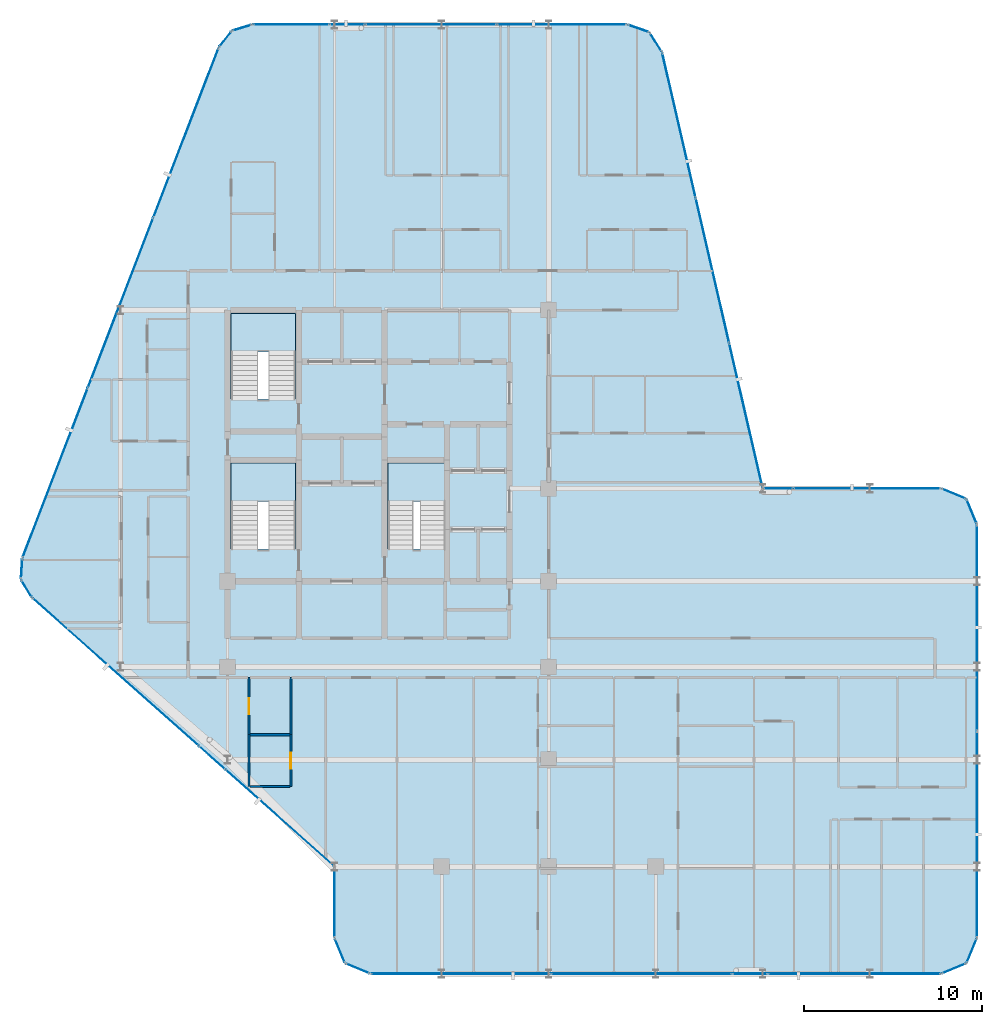
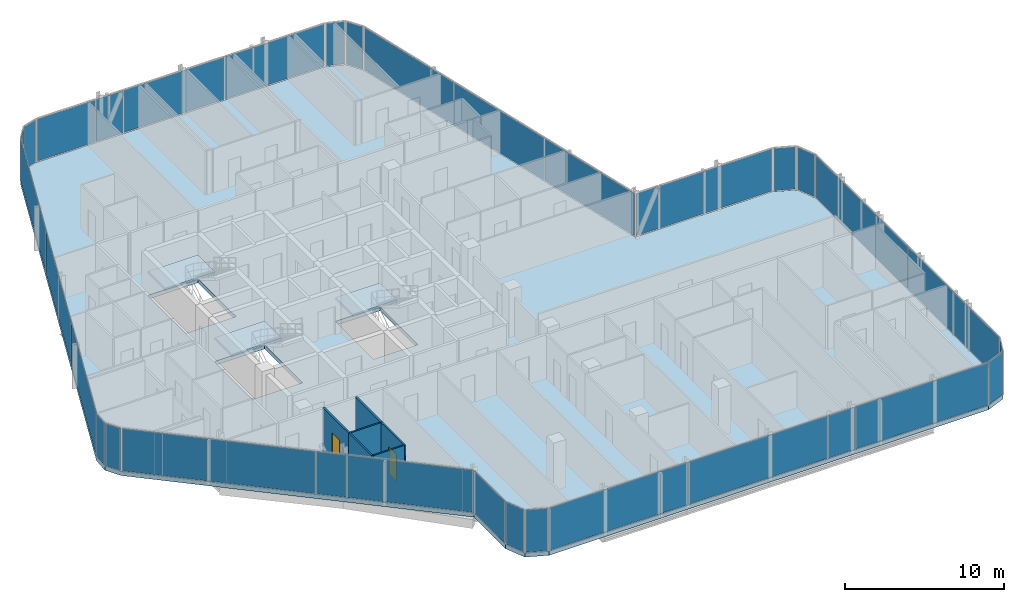
# One storey, part 22 of 29: 34 plates, 6 walls, 4 slabs, 2 doors, 2 openings, 30 elements without a shape of their own.
"""IFC4 building model written with IfcOpenShell, lengths in metres."""

from ifc_helpers import new_model, si_unit, direction, frame, frame_2d, origin, origin_2d, place, context, subcontext, project, spatial, polyline, rectangle, outline, extrude, material, layer, layer_set, type_object, element, fill, aggregate, save


model = new_model("IFC4")

# Units and contexts
model_context = context("Model", 3, precision=1e-05, world=origin(), true_north=direction((0.0, 1.0)))
body_context = subcontext(model_context, "Body", "Model", "MODEL_VIEW")
ifc_project = project(units=[si_unit("LENGTHUNIT", "METRE"), si_unit("AREAUNIT", "SQUARE_METRE"), si_unit("VOLUMEUNIT", "CUBIC_METRE"), si_unit("PLANEANGLEUNIT", "RADIAN"), si_unit("MASSUNIT", "GRAM", prefix="KILO")], contexts=[model_context])

# Site, building, storey
site_placement = place(None, origin())
site = spatial("IfcSite", under=ifc_project, at=site_placement, CompositionType="ELEMENT")
building_placement = place(site_placement, origin())
building = spatial("IfcBuilding", under=site, at=building_placement, Name="Keshet Zoharim Tower", CompositionType="ELEMENT")
storey_placement = place(building_placement, frame((0.0, 0.0, 195.800048828125)))
storey = spatial("IfcBuildingStorey", under=building, at=storey_placement, Name="L48", CompositionType="ELEMENT", Elevation=195.800048828125)

# Curtain wall, plate
ifc_material_1 = material(Name="Aluminium 6063-T6", Category="aluminium")
ifc_layer_1 = layer(ifc_material_1, 0.139892578125)
ifc_layer_set_1 = layer_set([ifc_layer_1], Name="Aluminium 6063-T6")
curtain_wall_type = type_object("IfcCurtainWallType", Name="CW-SYS-05", PredefinedType="NOTDEFINED", material=ifc_layer_set_1)
curtain_wall_1_placement = place(storey_placement, origin())
curtain_wall_1 = element("IfcCurtainWall", 1, at=curtain_wall_1_placement, inside=storey, type_object=curtain_wall_type, Name="L48 Unitised Curtain Wall 01", PredefinedType="NOTDEFINED")
ifc_material_2 = material(Name="Insulated Low-E Clear Glass", Category="glass")
ifc_layer_2 = layer(ifc_material_2, 0.031982421875)
ifc_layer_set_2 = layer_set([ifc_layer_2], Name="Insulated Low-E Clear Glass")
plate_type_1 = type_object("IfcPlateType", Name="CWP-02", PredefinedType="CURTAIN_PANEL", material=ifc_layer_set_2)
plate_1_placement = place(storey_placement, frame((55.70703125, 27.60693359375, 0.070068359375), z_axis=(0.0, 0.0, 1.0), x_axis=(0.92380975372, -0.382851849847, 0.0)))
plate_1 = element("IfcPlate", 2, at=plate_1_placement, type_object=plate_type_1, Name="CW-05 panel 1.1", PredefinedType="CURTAIN_PANEL", context=body_context, shape_type="SweptSolid", body=[
    extrude(rectangle(XDim=1.390625, YDim=0.031982421875, at=origin_2d()), origin(), (0.0, 0.0, 1.0), 3.25),
])
aggregate(curtain_wall_1, [plate_1])

curtain_wall_2_placement = place(storey_placement, origin())
curtain_wall_2 = element("IfcCurtainWall", 3, at=curtain_wall_2_placement, inside=storey, type_object=curtain_wall_type, Name="L48 Unitised Curtain Wall 02", PredefinedType="NOTDEFINED")
plate_2_placement = place(storey_placement, frame((56.70703125, 26.60693359375, 0.070068359375), z_axis=(0.0, 0.0, 1.0), x_axis=(0.382851849847, -0.92380975372, 0.0)))
plate_2 = element("IfcPlate", 4, at=plate_2_placement, type_object=plate_type_1, Name="CW-05 panel 1.1", PredefinedType="CURTAIN_PANEL", context=body_context, shape_type="SweptSolid", body=[
    extrude(rectangle(XDim=1.390625, YDim=0.031982421875, at=origin_2d()), origin(), (0.0, 0.0, 1.0), 3.25),
])
aggregate(curtain_wall_2, [plate_2])

# Curtain wall, plates
curtain_wall_3_placement = place(storey_placement, origin())
curtain_wall_3 = element("IfcCurtainWall", 5, at=curtain_wall_3_placement, inside=storey, type_object=curtain_wall_type, Name="L48 Unitised Curtain Wall 03", PredefinedType="NOTDEFINED")
plate_3_placement = place(storey_placement, frame((57.0, 20.08251953125, 0.070068359375), z_axis=(0.0, 0.0, 1.0), x_axis=(0.0, -1.0, 0.0)))
plate_3 = element("IfcPlate", 6, at=plate_3_placement, type_object=plate_type_1, Name="CW-05 panel 1.1", PredefinedType="CURTAIN_PANEL", context=body_context, shape_type="SweptSolid", body=[
    extrude(rectangle(XDim=11.4951171875, YDim=0.031982421875, at=origin_2d()), origin(), (0.0, 0.0, 1.0), 3.25),
])
plate_4_placement = place(storey_placement, frame((57.0, 8.517578125, 0.070068359375), z_axis=(0.0, 0.0, 1.0), x_axis=(0.0, -1.0, 0.0)))
plate_4 = element("IfcPlate", 7, at=plate_4_placement, type_object=plate_type_1, Name="CW-05 panel 2.1", PredefinedType="CURTAIN_PANEL", context=body_context, shape_type="SweptSolid", body=[
    extrude(rectangle(XDim=11.4951171875, YDim=0.031982421875, at=origin_2d()), origin(), (0.0, 0.0, 1.0), 3.25),
])
aggregate(curtain_wall_3, [plate_3, plate_4])

# Curtain wall, plate
curtain_wall_4_placement = place(storey_placement, origin())
curtain_wall_4 = element("IfcCurtainWall", 8, at=curtain_wall_4_placement, inside=storey, type_object=curtain_wall_type, Name="L48 Unitised Curtain Wall 04", PredefinedType="NOTDEFINED")
plate_5_placement = place(storey_placement, frame((56.70703125, 1.992919921875, 0.070068359375), z_axis=(0.0, 0.0, 1.0), x_axis=(-0.382851849847, -0.92380975372, 0.0)))
plate_5 = element("IfcPlate", 9, at=plate_5_placement, type_object=plate_type_1, Name="CW-05 panel 1.1", PredefinedType="CURTAIN_PANEL", context=body_context, shape_type="SweptSolid", body=[
    extrude(rectangle(XDim=1.390625, YDim=0.031982421875, at=origin_2d()), origin(), (0.0, 0.0, 1.0), 3.25),
])
aggregate(curtain_wall_4, [plate_5])

curtain_wall_5_placement = place(storey_placement, origin())
curtain_wall_5 = element("IfcCurtainWall", 10, at=curtain_wall_5_placement, inside=storey, type_object=curtain_wall_type, Name="L48 Unitised Curtain Wall 05", PredefinedType="NOTDEFINED")
plate_6_placement = place(storey_placement, frame((55.70703125, 0.992919921875, 0.070068359375), z_axis=(0.0, 0.0, 1.0), x_axis=(-0.92380975372, -0.382851849847, 0.0)))
plate_6 = element("IfcPlate", 11, at=plate_6_placement, type_object=plate_type_1, Name="CW-05 panel 1.1", PredefinedType="CURTAIN_PANEL", context=body_context, shape_type="SweptSolid", body=[
    extrude(rectangle(XDim=1.390625, YDim=0.031982421875, at=origin_2d()), origin(), (0.0, 0.0, 1.0), 3.25),
])
aggregate(curtain_wall_5, [plate_6])

curtain_wall_6_placement = place(storey_placement, origin())
curtain_wall_6 = element("IfcCurtainWall", 12, at=curtain_wall_6_placement, inside=storey, type_object=curtain_wall_type, Name="L48 Unitised Curtain Wall 06", PredefinedType="NOTDEFINED")
plate_7_placement = place(storey_placement, frame((50.1240234375, 0.699951171875, 0.070068359375), z_axis=(0.0, 0.0, 1.0), x_axis=(-1.0, 0.0, 0.0)))
plate_7 = element("IfcPlate", 13, at=plate_7_placement, type_object=plate_type_1, Name="CW-05 panel 1.1", PredefinedType="CURTAIN_PANEL", context=body_context, shape_type="SweptSolid", body=[
    extrude(rectangle(XDim=9.61181640625, YDim=0.031982421875, at=origin_2d()), origin(), (0.0, 0.0, 1.0), 3.25),
])
aggregate(curtain_wall_6, [plate_7])

# Curtain wall, plates
curtain_wall_7_placement = place(storey_placement, origin())
curtain_wall_7 = element("IfcCurtainWall", 14, at=curtain_wall_7_placement, inside=storey, type_object=curtain_wall_type, Name="L48 Unitised Curtain Wall 06 Part 3", PredefinedType="NOTDEFINED")
plate_8_placement = place(storey_placement, frame((38.20654296875, 0.699951171875, 0.070068359375), z_axis=(0.0, 0.0, 1.0), x_axis=(-1.0, 0.0, 0.0)))
plate_8 = element("IfcPlate", 15, at=plate_8_placement, type_object=plate_type_1, Name="CW-05 panel 1.1", PredefinedType="CURTAIN_PANEL", context=body_context, shape_type="SweptSolid", body=[
    extrude(rectangle(XDim=10.091064453125, YDim=0.031982421875, at=origin_2d()), origin(), (0.0, 0.0, 1.0), 3.25),
])
plate_9_placement = place(storey_placement, frame((28.08056640625, 0.699951171875, 0.070068359375), z_axis=(0.0, 0.0, 1.0), x_axis=(-1.0, 0.0, 0.0)))
plate_9 = element("IfcPlate", 16, at=plate_9_placement, type_object=plate_type_1, Name="CW-05 panel 2.1", PredefinedType="CURTAIN_PANEL", context=body_context, shape_type="SweptSolid", body=[
    extrude(rectangle(XDim=10.02099609375, YDim=0.031982421875, at=origin_2d()), origin(), (0.0, 0.0, 1.0), 3.25),
])
aggregate(curtain_wall_7, [plate_8, plate_9])

# Curtain wall, plate
curtain_wall_8_placement = place(storey_placement, origin())
curtain_wall_8 = element("IfcCurtainWall", 17, at=curtain_wall_8_placement, inside=storey, type_object=curtain_wall_type, Name="L48 Unitised Curtain Wall 07", PredefinedType="NOTDEFINED")
plate_10_placement = place(storey_placement, frame((22.29296875, 0.992919921875, 0.070068359375), z_axis=(0.0, 0.0, 1.0), x_axis=(-0.92380975372, 0.382851849847, 0.0)))
plate_10 = element("IfcPlate", 18, at=plate_10_placement, type_object=plate_type_1, Name="CW-05 panel 1.1", PredefinedType="CURTAIN_PANEL", context=body_context, shape_type="SweptSolid", body=[
    extrude(rectangle(XDim=1.390625, YDim=0.031982421875, at=origin_2d()), origin(), (0.0, 0.0, 1.0), 3.25),
])
aggregate(curtain_wall_8, [plate_10])

curtain_wall_9_placement = place(storey_placement, origin())
curtain_wall_9 = element("IfcCurtainWall", 19, at=curtain_wall_9_placement, inside=storey, type_object=curtain_wall_type, Name="L48 Unitised Curtain Wall 08", PredefinedType="NOTDEFINED")
plate_11_placement = place(storey_placement, frame((21.29296875, 1.992919921875, 0.070068359375), z_axis=(0.0, 0.0, 1.0), x_axis=(-0.382851849847, 0.92380975372, 0.0)))
plate_11 = element("IfcPlate", 20, at=plate_11_placement, type_object=plate_type_1, Name="CW-05 panel 1.1", PredefinedType="CURTAIN_PANEL", context=body_context, shape_type="SweptSolid", body=[
    extrude(rectangle(XDim=1.390625, YDim=0.031982421875, at=origin_2d()), origin(), (0.0, 0.0, 1.0), 3.25),
])
aggregate(curtain_wall_9, [plate_11])

curtain_wall_10_placement = place(storey_placement, origin())
curtain_wall_10 = element("IfcCurtainWall", 21, at=curtain_wall_10_placement, inside=storey, type_object=curtain_wall_type, Name="L48 Unitised Curtain Wall 09", PredefinedType="NOTDEFINED")
plate_12_placement = place(storey_placement, frame((21.0, 4.699951171875, 0.070068359375), z_axis=(0.0, 0.0, 1.0), x_axis=(0.0, 1.0, 0.0)))
plate_12 = element("IfcPlate", 22, at=plate_12_placement, type_object=plate_type_1, Name="CW-05 panel 1.1", PredefinedType="CURTAIN_PANEL", context=body_context, shape_type="SweptSolid", body=[
    extrude(rectangle(XDim=3.860107421875, YDim=0.031982421875, at=origin_2d()), origin(), (0.0, 0.0, 1.0), 3.25),
])
aggregate(curtain_wall_10, [plate_12])

curtain_wall_11_placement = place(storey_placement, origin())
curtain_wall_11 = element("IfcCurtainWall", 23, at=curtain_wall_11_placement, inside=storey, type_object=curtain_wall_type, Name="L48 Unitised Curtain Wall 10", PredefinedType="NOTDEFINED")
plate_13_placement = place(storey_placement, frame((17.92724609375, 9.431396484375, 0.070068359375), z_axis=(0.0, 0.0, 1.0), x_axis=(-0.74740596379, 0.664367613066, 0.0)))
plate_13 = element("IfcPlate", 24, at=plate_13_placement, type_object=plate_type_1, Name="CW-05 panel 1.1", PredefinedType="CURTAIN_PANEL", context=body_context, shape_type="SweptSolid", body=[
    extrude(rectangle(XDim=8.082763671875, YDim=0.031982421875, at=origin_2d()), origin(), (0.0, 0.0, 1.0), 3.25),
])
aggregate(curtain_wall_11, [plate_13])

curtain_wall_12_placement = place(storey_placement, origin())
curtain_wall_12 = element("IfcCurtainWall", 25, at=curtain_wall_12_placement, inside=storey, type_object=curtain_wall_type, Name="L48 Unitised Curtain Wall 10 Part 3", PredefinedType="NOTDEFINED")
plate_14_placement = place(storey_placement, frame((8.724853515625, 17.611328125, 0.070068359375), z_axis=(0.0, 0.0, 1.0), x_axis=(-0.747406666066, 0.664366823013, 0.0)))
plate_14 = element("IfcPlate", 26, at=plate_14_placement, type_object=plate_type_1, Name="CW-05 panel 1.1", PredefinedType="CURTAIN_PANEL", context=body_context, shape_type="SweptSolid", body=[
    extrude(rectangle(XDim=12.40966796875, YDim=0.031982421875, at=origin_2d()), origin(), (0.0, 0.0, 1.0), 3.25),
])
aggregate(curtain_wall_12, [plate_14])

curtain_wall_13_placement = place(storey_placement, origin())
curtain_wall_13 = element("IfcCurtainWall", 27, at=curtain_wall_13_placement, inside=storey, type_object=curtain_wall_type, Name="L48 Unitised Curtain Wall 11", PredefinedType="NOTDEFINED")
plate_15_placement = place(storey_placement, frame((3.7275390625, 22.291015625, 0.070068359375), z_axis=(0.0, 0.0, 1.0), x_axis=(-0.515604947933, 0.856826433805, 0.0)))
plate_15 = element("IfcPlate", 28, at=plate_15_placement, type_object=plate_type_1, Name="CW-05 panel 1.1", PredefinedType="CURTAIN_PANEL", context=body_context, shape_type="SweptSolid", body=[
    extrude(rectangle(XDim=1.052734375, YDim=0.031982421875, at=origin_2d()), origin(), (0.0, 0.0, 1.0), 3.25),
])
aggregate(curtain_wall_13, [plate_15])

curtain_wall_14_placement = place(storey_placement, origin())
curtain_wall_14 = element("IfcCurtainWall", 29, at=curtain_wall_14_placement, inside=storey, type_object=curtain_wall_type, Name="L48 Unitised Curtain Wall 12", PredefinedType="NOTDEFINED")
plate_16_placement = place(storey_placement, frame((3.45849609375, 23.3974609375, 0.070068359375), z_axis=(0.0, 0.0, 1.0), x_axis=(0.064516859374, 0.997916617186, 0.0)))
plate_16 = element("IfcPlate", 30, at=plate_16_placement, type_object=plate_type_1, Name="CW-05 panel 1.1", PredefinedType="CURTAIN_PANEL", context=body_context, shape_type="SweptSolid", body=[
    extrude(rectangle(XDim=1.053466796875, YDim=0.031982421875, at=origin_2d()), origin(), (0.0, 0.0, 1.0), 3.25),
])
aggregate(curtain_wall_14, [plate_16])

# Curtain wall, plates
curtain_wall_15_placement = place(storey_placement, origin())
curtain_wall_15 = element("IfcCurtainWall", 31, at=curtain_wall_15_placement, inside=storey, type_object=curtain_wall_type, Name="L48 Unitised Curtain Wall 13", PredefinedType="NOTDEFINED")
plate_17_placement = place(storey_placement, frame((5.33837890625, 28.7802734375, 0.070068359375), z_axis=(0.0, 0.0, 1.0), x_axis=(0.358990003907, 0.933341404361, 0.0)))
plate_17 = element("IfcPlate", 32, at=plate_17_placement, type_object=plate_type_1, Name="CW-05 panel 1.1", PredefinedType="CURTAIN_PANEL", context=body_context, shape_type="SweptSolid", body=[
    extrude(rectangle(XDim=10.1181640625, YDim=0.031982421875, at=origin_2d()), origin(), (0.0, 0.0, 1.0), 3.25),
])
plate_18_placement = place(storey_placement, frame((9.001953125, 38.305419921875, 0.070068359375), z_axis=(0.0, 0.0, 1.0), x_axis=(0.358990003907, 0.933341404361, 0.0)))
plate_18 = element("IfcPlate", 33, at=plate_18_placement, type_object=plate_type_1, Name="CW-05 panel 2.1", PredefinedType="CURTAIN_PANEL", context=body_context, shape_type="SweptSolid", body=[
    extrude(rectangle(XDim=10.153076171875, YDim=0.031982421875, at=origin_2d()), origin(), (0.0, 0.0, 1.0), 3.25),
])
plate_19_placement = place(storey_placement, frame((12.665771484375, 47.830810546875, 0.070068359375), z_axis=(0.0, 0.0, 1.0), x_axis=(0.358990003907, 0.933341404361, 0.0)))
plate_19 = element("IfcPlate", 34, at=plate_19_placement, type_object=plate_type_1, Name="CW-05 panel 3.1", PredefinedType="CURTAIN_PANEL", context=body_context, shape_type="SweptSolid", body=[
    extrude(rectangle(XDim=10.1181640625, YDim=0.031982421875, at=origin_2d()), origin(), (0.0, 0.0, 1.0), 3.25),
])
aggregate(curtain_wall_15, [plate_17, plate_18, plate_19])

# Curtain wall, plate
curtain_wall_16_placement = place(storey_placement, origin())
curtain_wall_16 = element("IfcCurtainWall", 35, at=curtain_wall_16_placement, inside=storey, type_object=curtain_wall_type, Name="L48 Unitised Curtain Wall 14", PredefinedType="NOTDEFINED")
plate_20_placement = place(storey_placement, frame((14.8740234375, 53.08349609375, 0.070068359375), z_axis=(0.0, 0.0, 1.0), x_axis=(0.619124525989, 0.785292825205, 0.0)))
plate_20 = element("IfcPlate", 36, at=plate_20_placement, type_object=plate_type_1, Name="CW-05 panel 1.1", PredefinedType="CURTAIN_PANEL", context=body_context, shape_type="SweptSolid", body=[
    extrude(rectangle(XDim=1.045654296875, YDim=0.031982421875, at=origin_2d()), origin(), (0.0, 0.0, 1.0), 3.25),
])
aggregate(curtain_wall_16, [plate_20])

curtain_wall_17_placement = place(storey_placement, origin())
curtain_wall_17 = element("IfcCurtainWall", 37, at=curtain_wall_17_placement, inside=storey, type_object=curtain_wall_type, Name="L48 Unitised Curtain Wall 15", PredefinedType="NOTDEFINED")
plate_21_placement = place(storey_placement, frame((15.8076171875, 53.724609375, 0.070068359375), z_axis=(0.0, 0.0, 1.0), x_axis=(0.955212151288, 0.295921857984, 0.0)))
plate_21 = element("IfcPlate", 38, at=plate_21_placement, type_object=plate_type_1, Name="CW-05 panel 1.1", PredefinedType="CURTAIN_PANEL", context=body_context, shape_type="SweptSolid", body=[
    extrude(rectangle(XDim=1.046142578125, YDim=0.031982421875, at=origin_2d()), origin(), (0.0, 0.0, 1.0), 3.25),
])
aggregate(curtain_wall_17, [plate_21])

curtain_wall_18_placement = place(storey_placement, origin())
curtain_wall_18 = element("IfcCurtainWall", 39, at=curtain_wall_18_placement, inside=storey, type_object=curtain_wall_type, Name="L48 Unitised Curtain Wall 16", PredefinedType="NOTDEFINED")
plate_22_placement = place(storey_placement, frame((18.56298828125, 53.89990234375, 0.070068359375), z_axis=(0.0, 0.0, 1.0), x_axis=(1.0, 0.0, 0.0)))
plate_22 = element("IfcPlate", 40, at=plate_22_placement, type_object=plate_type_1, Name="CW-05 panel 1.1", PredefinedType="CURTAIN_PANEL", context=body_context, shape_type="SweptSolid", body=[
    extrude(rectangle(XDim=4.23779296875, YDim=0.031982421875, at=origin_2d()), origin(), (0.0, 0.0, 1.0), 3.25),
])
aggregate(curtain_wall_18, [plate_22])

# Curtain wall, plates
curtain_wall_19_placement = place(storey_placement, origin())
curtain_wall_19 = element("IfcCurtainWall", 41, at=curtain_wall_19_placement, inside=storey, type_object=curtain_wall_type, Name="L48 Unitised Curtain Wall 16 Part 3", PredefinedType="NOTDEFINED")
plate_23_placement = place(storey_placement, frame((26.395751953125, 53.89990234375, 0.070068359375), z_axis=(0.0, 0.0, 1.0), x_axis=(1.0, 0.0, 0.0)))
plate_23 = element("IfcPlate", 42, at=plate_23_placement, type_object=plate_type_1, Name="CW-05 panel 1.1", PredefinedType="CURTAIN_PANEL", context=body_context, shape_type="SweptSolid", body=[
    extrude(rectangle(XDim=7.29541015625, YDim=0.031982421875, at=origin_2d()), origin(), (0.0, 0.0, 1.0), 3.25),
])
plate_24_placement = place(storey_placement, frame((33.726318359375, 53.89990234375, 0.070068359375), z_axis=(0.0, 0.0, 1.0), x_axis=(1.0, 0.0, 0.0)))
plate_24 = element("IfcPlate", 43, at=plate_24_placement, type_object=plate_type_1, Name="CW-05 panel 2.1", PredefinedType="CURTAIN_PANEL", context=body_context, shape_type="SweptSolid", body=[
    extrude(rectangle(XDim=7.225341796875, YDim=0.031982421875, at=origin_2d()), origin(), (0.0, 0.0, 1.0), 3.25),
])
aggregate(curtain_wall_19, [plate_23, plate_24])

# Curtain wall, plate
curtain_wall_20_placement = place(storey_placement, origin())
curtain_wall_20 = element("IfcCurtainWall", 44, at=curtain_wall_20_placement, inside=storey, type_object=curtain_wall_type, Name="L48 Unitised Curtain Wall 17", PredefinedType="NOTDEFINED")
plate_25_placement = place(storey_placement, frame((38.031494140625, 53.6826171875, 0.070068359375), z_axis=(0.0, 0.0, 1.0), x_axis=(0.944035542119, -0.329843743636, 0.0)))
plate_25 = element("IfcPlate", 45, at=plate_25_placement, type_object=plate_type_1, Name="CW-05 panel 1.1", PredefinedType="CURTAIN_PANEL", context=body_context, shape_type="SweptSolid", body=[
    extrude(rectangle(XDim=1.1787109375, YDim=0.031982421875, at=origin_2d()), origin(), (0.0, 0.0, 1.0), 3.25),
])
aggregate(curtain_wall_20, [plate_25])

curtain_wall_21_placement = place(storey_placement, origin())
curtain_wall_21 = element("IfcCurtainWall", 46, at=curtain_wall_21_placement, inside=storey, type_object=curtain_wall_type, Name="L48 Unitised Curtain Wall 18", PredefinedType="NOTDEFINED")
plate_26_placement = place(storey_placement, frame((39.006103515625, 52.907470703125, 0.070068359375), z_axis=(0.0, 0.0, 1.0), x_axis=(0.533878858502, -0.845560976183, 0.0)))
plate_26 = element("IfcPlate", 47, at=plate_26_placement, type_object=plate_type_1, Name="CW-05 panel 1.1", PredefinedType="CURTAIN_PANEL", context=body_context, shape_type="SweptSolid", body=[
    extrude(rectangle(XDim=1.1787109375, YDim=0.031982421875, at=origin_2d()), origin(), (0.0, 0.0, 1.0), 3.25),
])
aggregate(curtain_wall_21, [plate_26])

# Curtain wall, plates
curtain_wall_22_placement = place(storey_placement, origin())
curtain_wall_22 = element("IfcCurtainWall", 48, at=curtain_wall_22_placement, inside=storey, type_object=curtain_wall_type, Name="L48 Unitised Curtain Wall 19", PredefinedType="NOTDEFINED")
plate_27_placement = place(storey_placement, frame((40.30224609375, 48.258056640625, 0.070068359375), z_axis=(0.0, 0.0, 1.0), x_axis=(0.224847864369, -0.974393882313, 0.0)))
plate_27 = element("IfcPlate", 49, at=plate_27_placement, type_object=plate_type_1, Name="CW-05 panel 1.1", PredefinedType="CURTAIN_PANEL", context=body_context, shape_type="SweptSolid", body=[
    extrude(rectangle(XDim=8.25927734375, YDim=0.031982421875, at=origin_2d()), origin(), (0.0, 0.0, 1.0), 3.25),
])
plate_28_placement = place(storey_placement, frame((42.178955078125, 40.125, 0.070068359375), z_axis=(0.0, 0.0, 1.0), x_axis=(0.224847864369, -0.974393882313, 0.0)))
plate_28 = element("IfcPlate", 50, at=plate_28_placement, type_object=plate_type_1, Name="CW-05 panel 2.1", PredefinedType="CURTAIN_PANEL", context=body_context, shape_type="SweptSolid", body=[
    extrude(rectangle(XDim=8.294189453125, YDim=0.031982421875, at=origin_2d()), origin(), (0.0, 0.0, 1.0), 3.25),
])
plate_29_placement = place(storey_placement, frame((44.0556640625, 31.991943359375, 0.070068359375), z_axis=(0.0, 0.0, 1.0), x_axis=(0.224847864369, -0.974393882313, 0.0)))
plate_29 = element("IfcPlate", 51, at=plate_29_placement, type_object=plate_type_1, Name="CW-05 panel 3.1", PredefinedType="CURTAIN_PANEL", context=body_context, shape_type="SweptSolid", body=[
    extrude(rectangle(XDim=8.25927734375, YDim=0.031982421875, at=origin_2d()), origin(), (0.0, 0.0, 1.0), 3.25),
])
aggregate(curtain_wall_22, [plate_27, plate_28, plate_29])

# Curtain wall, plate
curtain_wall_23_placement = place(storey_placement, origin())
curtain_wall_23 = element("IfcCurtainWall", 52, at=curtain_wall_23_placement, inside=storey, type_object=curtain_wall_type, Name="L48 Unitised Curtain Wall 20 Part 2", PredefinedType="NOTDEFINED")
plate_30_placement = place(storey_placement, frame((50.839111328125, 27.89990234375, 0.070068359375), z_axis=(0.0, 0.0, 1.0), x_axis=(1.0, 0.0, 0.0)))
plate_30 = element("IfcPlate", 53, at=plate_30_placement, type_object=plate_type_1, Name="CW-05 panel 1.1", PredefinedType="CURTAIN_PANEL", context=body_context, shape_type="SweptSolid", body=[
    extrude(rectangle(XDim=8.181884765625, YDim=0.031982421875, at=origin_2d()), origin(), (0.0, 0.0, 1.0), 3.25),
])
aggregate(curtain_wall_23, [plate_30])

curtain_wall_24_placement = place(storey_placement, origin())
curtain_wall_24 = element("IfcCurtainWall", 54, at=curtain_wall_24_placement, inside=storey, type_object=curtain_wall_type, Name="L48 Unitised Curtain Wall 06 Part 2", PredefinedType="NOTDEFINED")
ifc_material_3 = material(Name="Insulated Aluminium Spandrel Panel", Category="aluminium")
ifc_layer_3 = layer(ifc_material_3, 0.031982421875)
ifc_layer_set_3 = layer_set([ifc_layer_3], Name="Insulated Aluminium Spandrel Panel")
plate_type_2 = type_object("IfcPlateType", Name="CWP-05", PredefinedType="CURTAIN_PANEL", material=ifc_layer_set_3)
plate_31_placement = place(storey_placement, frame((44.284912109375, 0.699951171875, 0.070068359375), z_axis=(0.0, 0.0, 1.0), x_axis=(-1.0, 0.0, 0.0)))
plate_31 = element("IfcPlate", 55, at=plate_31_placement, type_object=plate_type_2, Name="CW-05 spandrel panel 1.1", PredefinedType="CURTAIN_PANEL", context=body_context, shape_type="SweptSolid", body=[
    extrude(rectangle(XDim=1.92626953125, YDim=0.031982421875, at=origin_2d()), origin(), (0.0, 0.0, 1.0), 3.25),
])
aggregate(curtain_wall_24, [plate_31])

curtain_wall_25_placement = place(storey_placement, origin())
curtain_wall_25 = element("IfcCurtainWall", 56, at=curtain_wall_25_placement, inside=storey, type_object=curtain_wall_type, Name="L48 Unitised Curtain Wall 10 Part 2", PredefinedType="NOTDEFINED")
plate_32_placement = place(storey_placement, frame((14.134521484375, 12.802734375, 0.070068359375), z_axis=(0.0, 0.0, 1.0), x_axis=(-0.747439721297, 0.664329634314, 0.0)))
plate_32 = element("IfcPlate", 57, at=plate_32_placement, type_object=plate_type_2, Name="CW-05 spandrel panel 1.1", PredefinedType="CURTAIN_PANEL", context=body_context, shape_type="SweptSolid", body=[
    extrude(rectangle(XDim=1.92626953125, YDim=0.031982421875, at=origin_2d()), origin(), (0.0, 0.0, 1.0), 3.25),
])
aggregate(curtain_wall_25, [plate_32])

curtain_wall_26_placement = place(storey_placement, origin())
curtain_wall_26 = element("IfcCurtainWall", 58, at=curtain_wall_26_placement, inside=storey, type_object=curtain_wall_type, Name="L48 Unitised Curtain Wall 16 Part 2", PredefinedType="NOTDEFINED")
plate_33_placement = place(storey_placement, frame((21.715087890625, 53.89990234375, 0.070068359375), z_axis=(0.0, 0.0, 1.0), x_axis=(1.0, 0.0, 0.0)))
plate_33 = element("IfcPlate", 59, at=plate_33_placement, type_object=plate_type_2, Name="CW-05 spandrel panel 1.1", PredefinedType="CURTAIN_PANEL", context=body_context, shape_type="SweptSolid", body=[
    extrude(rectangle(XDim=1.92626953125, YDim=0.031982421875, at=origin_2d()), origin(), (0.0, 0.0, 1.0), 3.25),
])
aggregate(curtain_wall_26, [plate_33])

curtain_wall_27_placement = place(storey_placement, origin())
curtain_wall_27 = element("IfcCurtainWall", 60, at=curtain_wall_27_placement, inside=storey, type_object=curtain_wall_type, Name="L48 Unitised Curtain Wall 20", PredefinedType="NOTDEFINED")
plate_34_placement = place(storey_placement, frame((45.8740234375, 27.89990234375, 0.070068359375), z_axis=(0.0, 0.0, 1.0), x_axis=(1.0, 0.0, 0.0)))
plate_34 = element("IfcPlate", 61, at=plate_34_placement, type_object=plate_type_2, Name="CW-05 spandrel panel 1.1", PredefinedType="CURTAIN_PANEL", context=body_context, shape_type="SweptSolid", body=[
    extrude(rectangle(XDim=1.608154296875, YDim=0.031982421875, at=origin_2d()), origin(), (0.0, 0.0, 1.0), 3.25),
])
aggregate(curtain_wall_27, [plate_34])

# Stair, slab
ifc_material_4 = material(Name="Concrete C50/60", Category="concrete")
stair_type = type_object("IfcStairType", Name="STR-EXIT-135", PredefinedType="HALF_TURN_STAIR", material=ifc_material_4)
stair_1_placement = place(storey_placement, origin())
stair_1 = element("IfcStair", 62, at=stair_1_placement, inside=storey, type_object=stair_type, Name="L48 Enclosed Exit Stair ST-01", PredefinedType="HALF_TURN_STAIR")
ifc_layer_4 = layer(ifc_material_4, 0.199951171875)
ifc_layer_set_4 = layer_set([ifc_layer_4], Name="Concrete C50/60")
slab_type_1 = type_object("IfcSlabType", Name="SLB-LND-200", PredefinedType="LANDING", material=ifc_layer_set_4)
slab_1_placement = place(storey_placement, frame((0.0, 0.0, 1.64990234375)))
slab_1 = element("IfcSlab", 63, at=slab_1_placement, type_object=slab_type_1, Name="ST-01 landing 1", PredefinedType="LANDING", context=body_context, shape_type="SweptSolid", body=[
    extrude(outline(polyline([(15.179931640625, 27.159912109375), (18.820068359375, 27.159912109375), (18.820068359375, 29.320068359375), (15.179931640625, 29.320068359375), (15.179931640625, 27.159912109375)])), origin(), (0.0, 0.0, 1.0), 0.199951171875),
])
aggregate(stair_1, [slab_1])

stair_2_placement = place(storey_placement, origin())
stair_2 = element("IfcStair", 64, at=stair_2_placement, inside=storey, type_object=stair_type, Name="L48 Enclosed Exit Stair ST-02", PredefinedType="HALF_TURN_STAIR")
slab_2_placement = place(storey_placement, frame((0.0, 0.0, 1.64990234375)))
slab_2 = element("IfcSlab", 65, at=slab_2_placement, type_object=slab_type_1, Name="ST-02 landing 1", PredefinedType="LANDING", context=body_context, shape_type="SweptSolid", body=[
    extrude(outline(polyline([(15.179931640625, 35.56005859375), (18.820068359375, 35.56005859375), (18.820068359375, 37.719970703125), (15.179931640625, 37.719970703125), (15.179931640625, 35.56005859375)])), origin(), (0.0, 0.0, 1.0), 0.199951171875),
])
aggregate(stair_2, [slab_2])

stair_3_placement = place(storey_placement, origin())
stair_3 = element("IfcStair", 66, at=stair_3_placement, inside=storey, type_object=stair_type, Name="L48 Enclosed Exit Stair ST-03", PredefinedType="HALF_TURN_STAIR")
slab_3_placement = place(storey_placement, frame((0.0, 0.0, 1.64990234375)))
slab_3 = element("IfcSlab", 67, at=slab_3_placement, type_object=slab_type_1, Name="ST-03 landing 1", PredefinedType="LANDING", context=body_context, shape_type="SweptSolid", body=[
    extrude(outline(polyline([(23.97998046875, 27.159912109375), (27.219970703125, 27.159912109375), (27.219970703125, 29.320068359375), (23.97998046875, 29.320068359375), (23.97998046875, 27.159912109375)])), origin(), (0.0, 0.0, 1.0), 0.199951171875),
])
aggregate(stair_3, [slab_3])

# Slab
ifc_layer_5 = layer(ifc_material_4, 0.31005859375)
ifc_layer_set_5 = layer_set([ifc_layer_5], Name="Concrete C50/60")
slab_type_2 = type_object("IfcSlabType", Name="SLB-UPP-240", PredefinedType="FLOOR", material=ifc_layer_set_5)
slab_4_placement = place(storey_placement, frame((0.0, 0.0, -0.31005859375)))
element("IfcSlab", 68, at=slab_4_placement, inside=storey, type_object=slab_type_2, Name="L48 Structural Floor Slab 1", PredefinedType="FLOOR", context=body_context, shape_type="SweptSolid", body=[
    extrude(outline(polyline([(55.0, 27.89990234375), (56.4140625, 27.31396484375), (57.0, 25.89990234375), (57.0, 2.699951171875), (56.4140625, 1.285888671875), (55.0, 0.699951171875), (23.0, 0.699951171875), (21.5859375, 1.285888671875), (21.0, 2.699951171875), (21.0, 6.699951171875), (4.034912109375, 21.780029296875), (3.419921875, 22.802001953125), (3.4970703125, 23.992919921875), (14.507080078125, 52.617919921875), (15.240966796875, 53.549072265625), (16.3740234375, 53.89990234375), (37.408935546875, 53.89990234375), (38.654052734375, 53.465087890625), (39.35791015625, 52.35009765625), (45.0, 27.89990234375), (55.0, 27.89990234375)]), holes=[polyline([(15.179931640625, 24.52001953125), (18.820068359375, 24.52001953125), (18.820068359375, 29.320068359375), (15.179931640625, 29.320068359375), (15.179931640625, 24.52001953125)]), polyline([(15.179931640625, 32.919921875), (18.820068359375, 32.919921875), (18.820068359375, 37.719970703125), (15.179931640625, 37.719970703125), (15.179931640625, 32.919921875)]), polyline([(23.97998046875, 24.52001953125), (27.219970703125, 24.52001953125), (27.219970703125, 29.320068359375), (23.97998046875, 29.320068359375), (23.97998046875, 24.52001953125)])]), origin(), (0.0, 0.0, 1.0), 0.31005859375),
])

# Wall, opening, door
ifc_material_5 = material(Name="Gypsum Plasterboard", Category="gypsum")
ifc_layer_6 = layer(ifc_material_5, 0.1201171875)
ifc_layer_set_6 = layer_set([ifc_layer_6], Name="Gypsum Plasterboard")
wall_type_1 = type_object("IfcWallType", Name="WL-PART-120", PredefinedType="PARTITIONING", material=ifc_layer_set_6)
wall_1_placement = place(storey_placement, frame((16.199951171875, 14.10009765625, 0.0), z_axis=(0.0, 0.0, 1.0), x_axis=(0.0, 1.0, 0.0)))
wall_1 = element("IfcWall", 69, at=wall_1_placement, inside=storey, type_object=wall_type_1, Name="L48 Interior Wall 023", PredefinedType="PARTITIONING", context=body_context, shape_type="SweptSolid", body=[
    extrude(rectangle(XDim=3.199951171875, YDim=0.1201171875, at=frame_2d((1.60009765625, 0.0))), origin(), (0.0, 0.0, 1.0), 3.389892578125),
])
opening_1_placement = place(wall_1_placement, frame((1.14990234375, 0.0, 0.0)))
opening_1 = element("IfcOpeningElement", 70, at=opening_1_placement, cuts=wall_1, Name="Opening D-IN90", PredefinedType="OPENING", context=body_context, shape_type="SweptSolid", body=[
    extrude(rectangle(XDim=0.89990234375, YDim=2.14990234375, at=frame_2d((0.449951171875, 1.074951171875))), frame((0.0, 0.070068359375, 0.0), z_axis=(0.0, -1.0, 0.0), x_axis=(1.0, 0.0, 0.0)), (0.0, 0.0, 1.0), 0.14013671875),
])
ifc_material_6 = material(Name="Hardwood Timber", Category="wood")
door_type_1 = type_object("IfcDoorType", Name="DR-INT-090", OperationType="NOTDEFINED", PredefinedType="DOOR", material=ifc_material_6)
door_1_placement = place(opening_1_placement, origin())
door_1 = element("IfcDoor", 71, at=door_1_placement, inside=storey, type_object=door_type_1, Name="Apartment 4801 Kitchenette Door", OperationType="SINGLE_SWING_LEFT", OverallHeight=2.14990234375, OverallWidth=0.89990234375, PredefinedType="DOOR", context=body_context, shape_type="SweptSolid", body=[
    extrude(rectangle(XDim=0.89990234375, YDim=2.14990234375, at=frame_2d((0.449951171875, 1.074951171875))), frame((0.0, 0.02490234375, 0.0), z_axis=(0.0, -1.0, 0.0), x_axis=(1.0, 0.0, 0.0)), (0.0, 0.0, 1.0), 0.050048828125),
])
fill(opening_1, door_1)

# Walls
wall_2_placement = place(storey_placement, frame((18.550048828125, 14.10009765625, 0.0), z_axis=(0.0, 0.0, 1.0), x_axis=(0.0, 1.0, 0.0)))
element("IfcWall", 72, at=wall_2_placement, inside=storey, type_object=wall_type_1, Name="L48 Interior Wall 027", PredefinedType="PARTITIONING", context=body_context, shape_type="SweptSolid", body=[
    extrude(rectangle(XDim=3.199951171875, YDim=0.1201171875, at=frame_2d((1.60009765625, 0.0))), origin(), (0.0, 0.0, 1.0), 3.389892578125),
])
ifc_layer_7 = layer(ifc_material_5, 0.1201171875)
ifc_layer_set_7 = layer_set([ifc_layer_7], Name="Gypsum Plasterboard")
wall_type_2 = type_object("IfcWallType", Name="WL-WET-120", PredefinedType="PARTITIONING", material=ifc_layer_set_7)
wall_3_placement = place(storey_placement, frame((16.199951171875, 11.199951171875, 0.0), z_axis=(0.0, 0.0, 1.0), x_axis=(0.0, 1.0, 0.0)))
element("IfcWall", 73, at=wall_3_placement, inside=storey, type_object=wall_type_2, Name="L48 Interior Wall 022", PredefinedType="PARTITIONING", context=body_context, shape_type="SweptSolid", body=[
    extrude(rectangle(XDim=2.900146484375, YDim=0.1201171875, at=frame_2d((1.4501953125, 0.0))), origin(), (0.0, 0.0, 1.0), 3.389892578125),
])

# Wall, opening, door
wall_4_placement = place(storey_placement, frame((18.550048828125, 11.199951171875, 0.0), z_axis=(0.0, 0.0, 1.0), x_axis=(0.0, 1.0, 0.0)))
wall_4 = element("IfcWall", 74, at=wall_4_placement, inside=storey, type_object=wall_type_2, Name="L48 Interior Wall 026", PredefinedType="PARTITIONING", context=body_context, shape_type="SweptSolid", body=[
    extrude(rectangle(XDim=2.900146484375, YDim=0.1201171875, at=frame_2d((1.4501953125, 0.0))), origin(), (0.0, 0.0, 1.0), 3.389892578125),
])
opening_2_placement = place(wall_4_placement, frame((1.0, 0.0, 0.0)))
opening_2 = element("IfcOpeningElement", 75, at=opening_2_placement, cuts=wall_4, Name="Opening D-WT90", PredefinedType="OPENING", context=body_context, shape_type="SweptSolid", body=[
    extrude(rectangle(XDim=0.89990234375, YDim=2.10009765625, at=frame_2d((0.449951171875, 1.050048828125))), frame((0.0, 0.070068359375, 0.0), z_axis=(0.0, -1.0, 0.0), x_axis=(1.0, 0.0, 0.0)), (0.0, 0.0, 1.0), 0.14013671875),
])
door_type_2 = type_object("IfcDoorType", Name="DR-WET-090", OperationType="NOTDEFINED", PredefinedType="DOOR", material=ifc_material_6)
door_2_placement = place(opening_2_placement, origin())
door_2 = element("IfcDoor", 76, at=door_2_placement, inside=storey, type_object=door_type_2, Name="Apartment 4801 Bathroom Door", OperationType="SINGLE_SWING_LEFT", OverallHeight=2.10009765625, OverallWidth=0.89990234375, PredefinedType="DOOR", context=body_context, shape_type="SweptSolid", body=[
    extrude(rectangle(XDim=0.89990234375, YDim=2.10009765625, at=frame_2d((0.449951171875, 1.050048828125))), frame((0.0, 0.02490234375, 0.0), z_axis=(0.0, -1.0, 0.0), x_axis=(1.0, 0.0, 0.0)), (0.0, 0.0, 1.0), 0.050048828125),
])
fill(opening_2, door_2)

# Walls
for number, where, z_axis, x_axis, name in (
    (77, (16.2451171875, 11.199951171875, 0.0), (0.0, 0.0, 1.0), (1.0, 0.0, 0.0), "L48 Interior Wall 110"),
    (78, (16.2451171875, 14.10009765625, 0.0), (0.0, 0.0, 1.0), (1.0, 0.0, 0.0), "L48 Interior Wall 113"),
):
    element("IfcWall", number, at=place(storey_placement, frame(where, z_axis=z_axis, x_axis=x_axis)), inside=storey, type_object=wall_type_2, Name=name, PredefinedType="PARTITIONING", context=body_context, shape_type="SweptSolid", body=[
        extrude(rectangle(XDim=2.259765625, YDim=0.1201171875, at=frame_2d((1.1298828125, 0.0))), origin(), (0.0, 0.0, 1.0), 3.389892578125),
    ])

save(model, "model.ifc")
